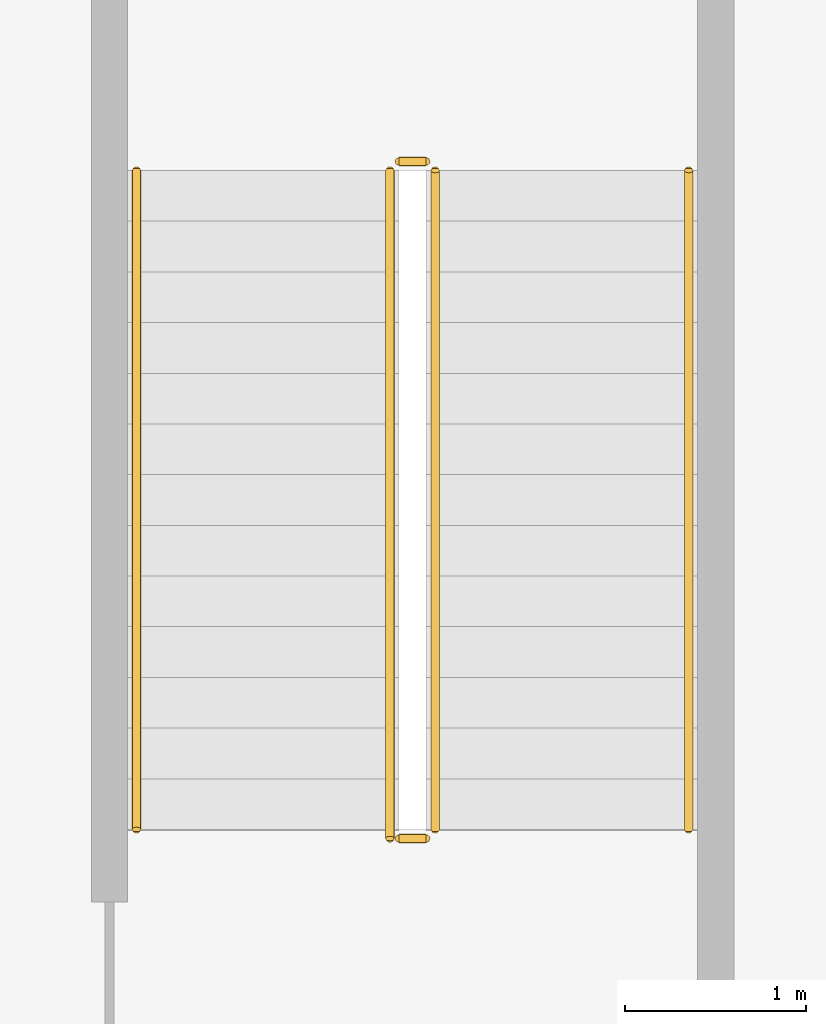
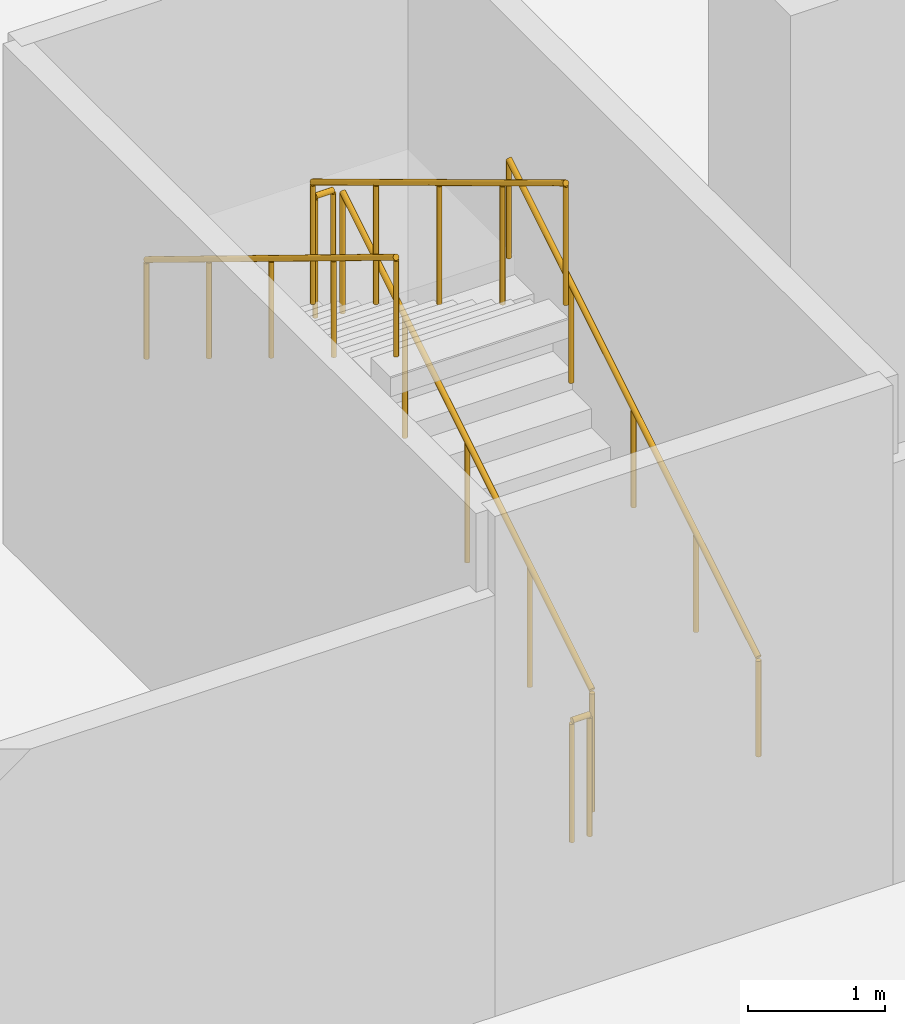
# One storey, part 42 of 42: 6 railings.
"""IFC4 building model written with IfcOpenShell, lengths in metres."""

from ifc_helpers import new_model, si_unit, direction, frame, origin, origin_2d, place, context, subcontext, project, spatial, circle, extrude, material, type_object, element, save


model = new_model("IFC4")

# Units and contexts
model_context = context("Model", 3, precision=1e-05, world=origin(), true_north=direction((0.0, 1.0)))
body_context = subcontext(model_context, "Body", "Model", "MODEL_VIEW")
ifc_project = project(units=[si_unit("LENGTHUNIT", "METRE"), si_unit("AREAUNIT", "SQUARE_METRE"), si_unit("VOLUMEUNIT", "CUBIC_METRE"), si_unit("PLANEANGLEUNIT", "RADIAN"), si_unit("MASSUNIT", "GRAM", prefix="KILO")], contexts=[model_context])

# Site, building, storey
site_placement = place(None, origin())
site = spatial("IfcSite", under=ifc_project, at=site_placement, CompositionType="ELEMENT")
building_placement = place(site_placement, origin())
building = spatial("IfcBuilding", under=site, at=building_placement, Name="Plateau Cross Towers", CompositionType="ELEMENT")
storey_placement = place(building_placement, frame((0.0, 0.0, 8.0)))
storey = spatial("IfcBuildingStorey", under=building, at=storey_placement, Name="L01", CompositionType="ELEMENT", Elevation=8.0)

# Railings
ifc_material_1 = material(Name="Stainless steel and toughened glass", Category="steel")
railing_type_1 = type_object("IfcRailingType", Name="RL-GUARD-1100", PredefinedType="GUARDRAIL", material=ifc_material_1)
railing_1_placement = place(storey_placement, frame((68.39990234375, 42.10009765625, 0.17138671875)))
element("IfcRailing", 1, at=railing_1_placement, inside=storey, type_object=railing_type_1, Name="L01 PS3 stair guard 1", PredefinedType="GUARDRAIL", context=body_context, shape_type="SweptSolid", body=[
    extrude(circle(Radius=0.02392578125, at=origin_2d()), frame((0.0, 0.0, 1.076171875), z_axis=(0.0, 0.852850264322, 0.5221555579), x_axis=(-1.0, 0.0, 0.0)), (0.0, 0.0, 1.0), 4.267822265625),
    extrude(circle(Radius=0.02099609375, at=origin_2d()), origin(), (0.0, 0.0, 1.0), 1.052001953125),
    extrude(circle(Radius=0.02099609375, at=origin_2d()), frame((0.0, 0.909912109375, 0.55712890625)), (0.0, 0.0, 1.0), 1.052001953125),
    extrude(circle(Radius=0.02099609375, at=origin_2d()), frame((0.0, 1.81982421875, 1.1142578125)), (0.0, 0.0, 1.0), 1.052001953125),
    extrude(circle(Radius=0.02099609375, at=origin_2d()), frame((0.0, 2.72998046875, 1.67138671875)), (0.0, 0.0, 1.0), 1.052001953125),
    extrude(circle(Radius=0.02099609375, at=origin_2d()), frame((0.0, 3.639892578125, 2.228515625)), (0.0, 0.0, 1.0), 1.052001953125),
])
railing_2_placement = place(storey_placement, frame((68.35009765625, 45.7900390625, 2.39990234375)))
element("IfcRailing", 2, at=railing_2_placement, inside=storey, type_object=railing_type_1, Name="L01 PS3 stair guard 2", PredefinedType="GUARDRAIL", context=body_context, shape_type="SweptSolid", body=[
    extrude(circle(Radius=0.02392578125, at=origin_2d()), frame((0.0, 0.0, 1.076171875), z_axis=(-1.0, 0.0, 0.0), x_axis=(0.0, -1.0, 0.0)), (0.0, 0.0, 1.0), 0.150146484375),
    extrude(circle(Radius=0.02099609375, at=origin_2d()), origin(), (0.0, 0.0, 1.0), 1.052001953125),
    extrude(circle(Radius=0.02099609375, at=origin_2d()), frame((-0.150146484375, 0.0, 0.0)), (0.0, 0.0, 1.0), 1.052001953125),
])
railing_3_placement = place(storey_placement, frame((68.14990234375, 45.739990234375, 2.571533203125)))
element("IfcRailing", 3, at=railing_3_placement, inside=storey, type_object=railing_type_1, Name="L01 PS3 stair guard 3", PredefinedType="GUARDRAIL", context=body_context, shape_type="SweptSolid", body=[
    extrude(circle(Radius=0.02392578125, at=origin_2d()), frame((0.0, 0.0, 1.076171875), z_axis=(0.0, -0.856000133688, 0.516975600126), x_axis=(1.0, 0.0, 0.0)), (0.0, 0.0, 1.0), 4.310791015625),
    extrude(circle(Radius=0.02099609375, at=origin_2d()), origin(), (0.0, 0.0, 1.0), 1.052001953125),
    extrude(circle(Radius=0.02099609375, at=origin_2d()), frame((0.0, -0.92236328125, 0.55712890625)), (0.0, 0.0, 1.0), 1.052001953125),
    extrude(circle(Radius=0.02099609375, at=origin_2d()), frame((0.0, -1.844970703125, 1.1142578125)), (0.0, 0.0, 1.0), 1.052001953125),
    extrude(circle(Radius=0.02099609375, at=origin_2d()), frame((0.0, -2.767578125, 1.67138671875)), (0.0, 0.0, 1.0), 1.052001953125),
    extrude(circle(Radius=0.02099609375, at=origin_2d()), frame((0.0, -3.68994140625, 2.228515625)), (0.0, 0.0, 1.0), 1.052001953125),
])
railing_4_placement = place(storey_placement, frame((68.35009765625, 42.050048828125, 0.0)))
element("IfcRailing", 4, at=railing_4_placement, inside=storey, type_object=railing_type_1, Name="L01 PS3 stair guard 4", PredefinedType="GUARDRAIL", context=body_context, shape_type="SweptSolid", body=[
    extrude(circle(Radius=0.02392578125, at=origin_2d()), frame((0.0, 0.0, 1.076171875), z_axis=(-1.0, 0.0, 0.0), x_axis=(0.0, -1.0, 0.0)), (0.0, 0.0, 1.0), 0.150146484375),
    extrude(circle(Radius=0.02099609375, at=origin_2d()), origin(), (0.0, 0.0, 1.0), 1.052001953125),
    extrude(circle(Radius=0.02099609375, at=origin_2d()), frame((-0.150146484375, 0.0, 0.0)), (0.0, 0.0, 1.0), 1.052001953125),
])
ifc_material_2 = material(Name="Black anodised aluminium", Category="aluminium")
railing_type_2 = type_object("IfcRailingType", Name="RL-HANDRAIL-900", PredefinedType="HANDRAIL", material=ifc_material_2)
railing_5_placement = place(storey_placement, frame((69.800048828125, 42.10009765625, 0.17138671875)))
element("IfcRailing", 5, at=railing_5_placement, inside=storey, type_object=railing_type_2, Name="L01 PS3 stair handrail 1", PredefinedType="HANDRAIL", context=body_context, shape_type="SweptSolid", body=[
    extrude(circle(Radius=0.02392578125, at=origin_2d()), frame((0.0, 0.0, 0.8759765625), z_axis=(0.0, 0.852850264322, 0.5221555579), x_axis=(-1.0, 0.0, 0.0)), (0.0, 0.0, 1.0), 4.267822265625),
    extrude(circle(Radius=0.02099609375, at=origin_2d()), origin(), (0.0, 0.0, 1.0), 0.851806640625),
    extrude(circle(Radius=0.02099609375, at=origin_2d()), frame((0.0, 0.909912109375, 0.55712890625)), (0.0, 0.0, 1.0), 0.851806640625),
    extrude(circle(Radius=0.02099609375, at=origin_2d()), frame((0.0, 1.81982421875, 1.1142578125)), (0.0, 0.0, 1.0), 0.851806640625),
    extrude(circle(Radius=0.02099609375, at=origin_2d()), frame((0.0, 2.72998046875, 1.67138671875)), (0.0, 0.0, 1.0), 0.851806640625),
    extrude(circle(Radius=0.02099609375, at=origin_2d()), frame((0.0, 3.639892578125, 2.228515625)), (0.0, 0.0, 1.0), 0.851806640625),
])
railing_6_placement = place(storey_placement, frame((66.75, 45.739990234375, 2.571533203125)))
element("IfcRailing", 6, at=railing_6_placement, inside=storey, type_object=railing_type_2, Name="L01 PS3 stair handrail 2", PredefinedType="HANDRAIL", context=body_context, shape_type="SweptSolid", body=[
    extrude(circle(Radius=0.02392578125, at=origin_2d()), frame((0.0, 0.0, 0.8759765625), z_axis=(0.0, -0.852850264322, 0.5221555579), x_axis=(1.0, 0.0, 0.0)), (0.0, 0.0, 1.0), 4.267822265625),
    extrude(circle(Radius=0.02099609375, at=origin_2d()), origin(), (0.0, 0.0, 1.0), 0.851806640625),
    extrude(circle(Radius=0.02099609375, at=origin_2d()), frame((0.0, -0.909912109375, 0.55712890625)), (0.0, 0.0, 1.0), 0.851806640625),
    extrude(circle(Radius=0.02099609375, at=origin_2d()), frame((0.0, -1.81982421875, 1.1142578125)), (0.0, 0.0, 1.0), 0.851806640625),
    extrude(circle(Radius=0.02099609375, at=origin_2d()), frame((0.0, -2.72998046875, 1.67138671875)), (0.0, 0.0, 1.0), 0.851806640625),
    extrude(circle(Radius=0.02099609375, at=origin_2d()), frame((0.0, -3.639892578125, 2.228515625)), (0.0, 0.0, 1.0), 0.851806640625),
])

save(model, "model.ifc")
